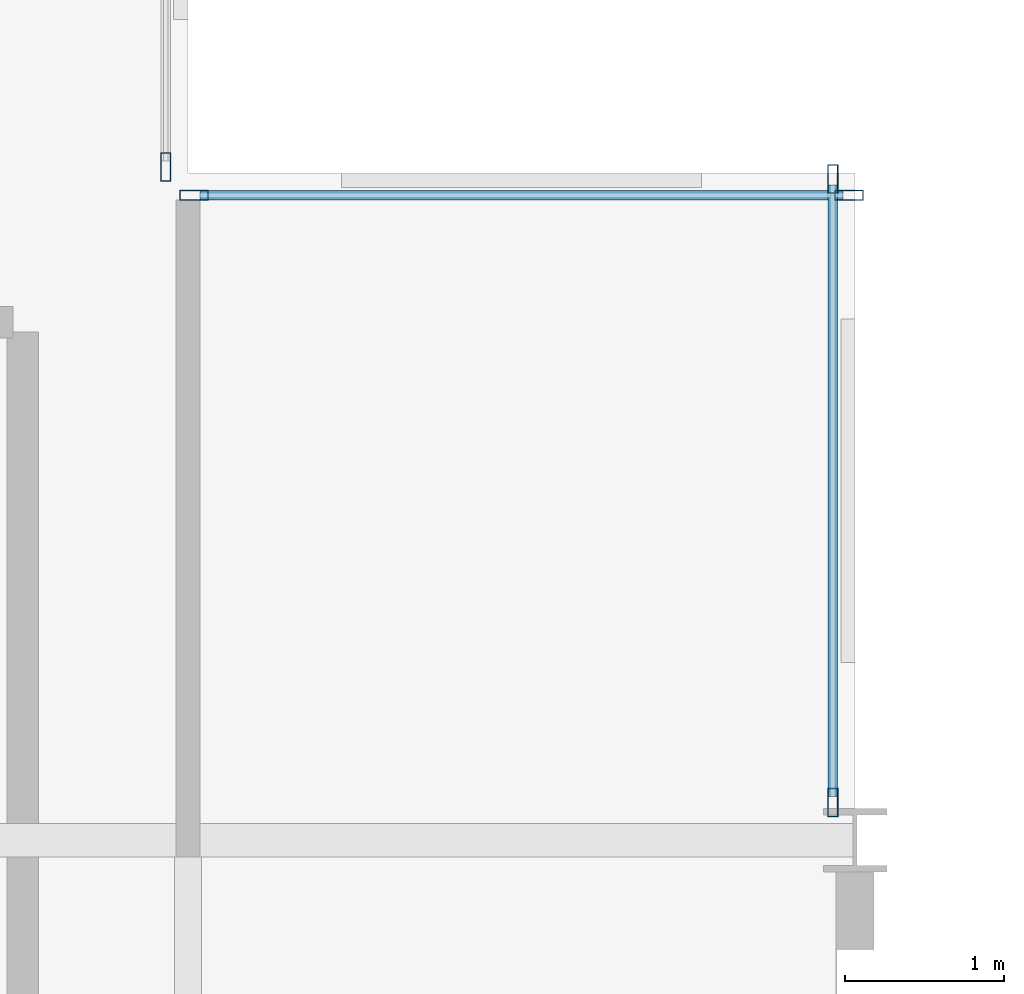
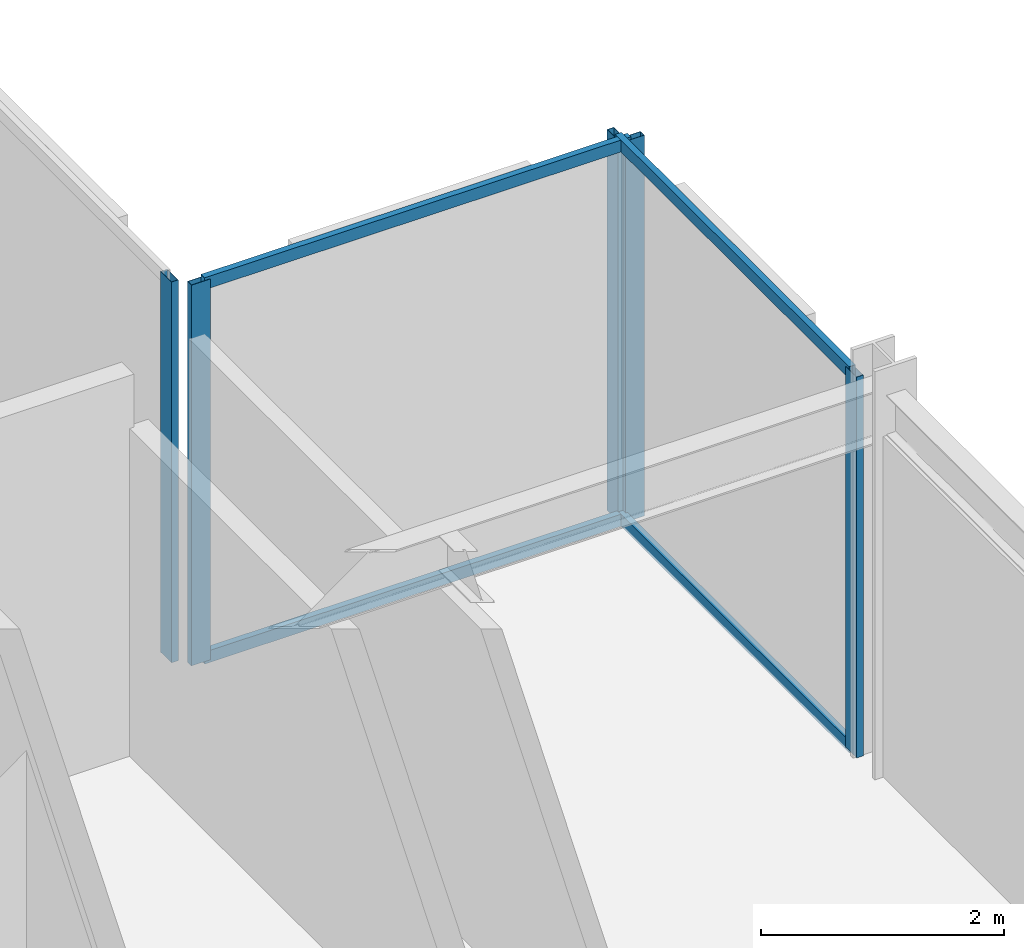
# One storey, part 20 of 29: 9 members, 3 elements without a shape of their own.
"""IFC4 building model written with IfcOpenShell, lengths in metres."""

import ifcopenshell
import ifcopenshell.guid

model = None  # the IFC model being written
_history = None  # IfcOwnerHistory: only IFC2X3 demands one
_inside = {}  # id of a spatial element -> (the spatial element, [elements in it])
_under = {}  # id of a project, library or spatial element -> (it, [spatial elements below it])
_declared = {}  # id of a project -> (the project, [libraries it declares])
_typed = {}  # id of a type object -> (the type object, [elements of that type])
_made_of = {}  # id of a material, layer set ... -> (it, [elements and type objects made of it])


def new_model(schema):
    """Start an empty IFC model of exactly this schema.

    Asked for "IFC4X3", IfcOpenShell would pick the latest addendum, in which some entities
    have other attributes; the version numbers below select the first issue.
    IFC2X3 requires an IfcOwnerHistory on every rooted entity: one is made here for all.
    """
    global model, _history
    if schema == "IFC4X3":
        model = ifcopenshell.file(schema_version=(4, 3, 0, 0))
    else:
        model = ifcopenshell.file(schema=schema)
    _inside.clear()
    _under.clear()
    _declared.clear()
    _typed.clear()
    _made_of.clear()
    _history = None
    if model.schema == "IFC2X3":
        org = make("IfcOrganization", Name="unknown")
        user = make(
            "IfcPersonAndOrganization",
            ThePerson=make("IfcPerson", FamilyName="unknown"),
            TheOrganization=org,
        )
        app = make(
            "IfcApplication",
            ApplicationDeveloper=org,
            Version="unknown",
            ApplicationFullName="unknown",
            ApplicationIdentifier="unknown",
        )
        _history = make(
            "IfcOwnerHistory",
            OwningUser=user,
            OwningApplication=app,
            ChangeAction="ADDED",
            CreationDate=0,
        )
    return model


def make(cls, **values):
    """One entity of the class cls with the attributes given. An attribute that is None is left unset."""
    return model.create_entity(
        cls, **{name: value for name, value in values.items() if value is not None}
    )


def rooted(cls, **values):
    """An entity with a GlobalId (a new one), such as an element, a storey or a relation."""
    return make(cls, GlobalId=ifcopenshell.guid.new(), OwnerHistory=_history, **values)


def si_unit(unit_type, name, prefix=None):
    """IfcSIUnit, for example si_unit("LENGTHUNIT", "METRE", prefix="MILLI")."""
    return make("IfcSIUnit", UnitType=unit_type, Prefix=prefix, Name=name)


def assignment(units):
    """IfcUnitAssignment: the units of a project."""
    return None if units is None else make("IfcUnitAssignment", Units=units)


def point(xyz):
    """IfcCartesianPoint."""
    return None if xyz is None else make("IfcCartesianPoint", Coordinates=xyz)


def direction(xyz):
    """IfcDirection."""
    return None if xyz is None else make("IfcDirection", DirectionRatios=xyz)


def frame(location, z_axis=None, x_axis=None):
    """IfcAxis2Placement3D, a coordinate frame: its origin and axes. An axis left out is left unset."""
    return make(
        "IfcAxis2Placement3D",
        Location=point(location),
        Axis=direction(z_axis),
        RefDirection=direction(x_axis),
    )


def frame_2d(location, x_axis=None):
    """IfcAxis2Placement2D, a coordinate frame in the plane: its origin and x axis."""
    return make(
        "IfcAxis2Placement2D", Location=point(location), RefDirection=direction(x_axis)
    )


def origin():
    """The frame at (0, 0, 0) with its axes left unset."""
    return frame((0.0, 0.0, 0.0))


def origin_2d():
    """The frame at (0, 0) in the plane with its x axis left unset."""
    return frame_2d((0.0, 0.0))


def place(relative_to, where):
    """IfcLocalPlacement: puts the frame where relative to a parent placement (None: the world)."""
    return make(
        "IfcLocalPlacement", PlacementRelTo=relative_to, RelativePlacement=where
    )


def context(
    kind, dimensions, precision=None, world=None, true_north=None, identifier=None
):
    """IfcGeometricRepresentationContext, for example the 3D "Model" context."""
    return make(
        "IfcGeometricRepresentationContext",
        ContextIdentifier=identifier,
        ContextType=kind,
        CoordinateSpaceDimension=dimensions,
        Precision=precision,
        WorldCoordinateSystem=world,
        TrueNorth=true_north,
    )


def subcontext(parent, identifier, kind, view, scale=None):
    """IfcGeometricRepresentationSubContext, for example "Body" below "Model"."""
    return make(
        "IfcGeometricRepresentationSubContext",
        ContextIdentifier=identifier,
        ContextType=kind,
        ParentContext=parent,
        TargetScale=scale,
        TargetView=view,
    )


def project(units=None, contexts=None):
    """IfcProject with its units and contexts."""
    return rooted(
        "IfcProject",
        Name="project",
        RepresentationContexts=contexts,
        UnitsInContext=assignment(units),
    )


def spatial(cls, under=None, at=None, **own):
    """A site, building, storey or space (cls), placed at a placement, below another one or the project."""
    s = rooted(cls, ObjectPlacement=at, **own)
    if under is not None:
        _under.setdefault(under.id(), (under, []))[1].append(s)
    return s


def profile(cls, at=None, kind="AREA", **sizes):
    """A parametric profile (cls). Its sizes go by their IFC names, for example OverallWidth=200.0."""
    return make(cls, ProfileType=kind, Position=at, **sizes)


def hollow_rectangle(**sizes):
    """IfcRectangleHollowProfileDef."""
    return profile("IfcRectangleHollowProfileDef", **sizes)


def extrude(swept, where, along, depth):
    """IfcExtrudedAreaSolid: the profile swept, set in the frame where, extruded along a direction by depth."""
    return make(
        "IfcExtrudedAreaSolid",
        SweptArea=swept,
        Position=where,
        ExtrudedDirection=direction(along),
        Depth=depth,
    )


def shape(context_of_items, identifier, shape_type, items):
    """IfcShapeRepresentation: the items that make up one representation, for example the "Body"."""
    return make(
        "IfcShapeRepresentation",
        ContextOfItems=context_of_items,
        RepresentationIdentifier=identifier,
        RepresentationType=shape_type,
        Items=items,
    )


def material(Name=None, Category=None):
    """IfcMaterial."""
    return make("IfcMaterial", Name=Name, Category=Category)


def layer(
    of_material, thickness, ventilated=None, Name=None, Category=None, Priority=None
):
    """IfcMaterialLayer: one layer of a wall or slab, of a material (None: an air gap)."""
    return make(
        "IfcMaterialLayer",
        Material=of_material,
        LayerThickness=thickness,
        IsVentilated=ventilated,
        Name=Name,
        Category=Category,
        Priority=Priority,
    )


def layer_set(layers, Name=None):
    """IfcMaterialLayerSet."""
    return make("IfcMaterialLayerSet", MaterialLayers=layers, LayerSetName=Name)


def material_profile(
    of_material, cross_section, Name=None, Category=None, Priority=None
):
    """IfcMaterialProfile: a cross section and its material."""
    return make(
        "IfcMaterialProfile",
        Name=Name,
        Material=of_material,
        Profile=cross_section,
        Priority=Priority,
        Category=Category,
    )


def profile_set(profiles, Name=None, composite=None):
    """IfcMaterialProfileSet."""
    return make(
        "IfcMaterialProfileSet",
        Name=Name,
        MaterialProfiles=profiles,
        CompositeProfile=composite,
    )


def made_of(thing, what):
    """Note that an element or type object is made of a material, layer set ...; save() writes the relation."""
    if what is not None:
        _made_of.setdefault(what.id(), (what, []))[1].append(thing)
    return thing


def type_object(cls, material=None, **own):
    """A type object (cls), such as IfcWallType, which elements share."""
    return made_of(rooted(cls, **own), material)


def element(
    cls,
    number,
    at=None,
    inside=None,
    cuts=None,
    type_object=None,
    material=None,
    context=None,
    identifier="Body",
    shape_type=None,
    held_by="IfcProductDefinitionShape",
    body=None,
    shapes=None,
    **own,
):
    """One element of the class cls, such as IfcWall. Its Tag is "e" and its number.

    at: its placement. inside: the storey or other place that contains it. cuts: it is an
    opening in that element (IfcRelVoidsElement). A single representation is given by context,
    identifier, shape_type and body (its items); several are given by shapes. held_by: the class
    of the entity that holds the representations. save() writes the other relations.
    """
    e = rooted(cls, Tag="e%d" % number, ObjectPlacement=at, **own)
    if body is not None:
        shapes = [shape(context, identifier, shape_type, body)]
    if shapes is not None:
        e.Representation = make(held_by, Representations=shapes)
    if inside is not None:
        _inside.setdefault(inside.id(), (inside, []))[1].append(e)
    if cuts is not None:
        rooted(
            "IfcRelVoidsElement", RelatingBuildingElement=cuts, RelatedOpeningElement=e
        )
    if type_object is not None:
        _typed.setdefault(type_object.id(), (type_object, []))[1].append(e)
    return made_of(e, material)


def aggregate(whole, parts):
    """IfcRelAggregates: a whole, such as a stair, and the parts it consists of."""
    return rooted("IfcRelAggregates", RelatingObject=whole, RelatedObjects=parts)


def save(model, path):
    """Write the relations noted so far, then the file.

    IfcRelAggregates (storeys below a building ...), IfcRelContainedInSpatialStructure (elements
    in a storey), IfcRelDefinesByType, IfcRelAssociatesMaterial and IfcRelDeclares: one each for
    every whole, place, type object, material and project.
    """
    for whole, parts in _under.values():
        aggregate(whole, parts)
    for where, things in _inside.values():
        rooted(
            "IfcRelContainedInSpatialStructure",
            RelatedElements=things,
            RelatingStructure=where,
        )
    for kind, things in _typed.values():
        rooted("IfcRelDefinesByType", RelatedObjects=things, RelatingType=kind)
    for what, things in _made_of.values():
        rooted("IfcRelAssociatesMaterial", RelatedObjects=things, RelatingMaterial=what)
    for by, libraries in _declared.values():
        rooted("IfcRelDeclares", RelatingContext=by, RelatedDefinitions=libraries)
    model.write(path)


model = new_model("IFC4")

# Units and contexts
model_context = context("Model", 3, precision=1e-05, world=origin(), true_north=direction((0.0, 1.0)))
body_context = subcontext(model_context, "Body", "Model", "MODEL_VIEW")
ifc_project = project(units=[si_unit("LENGTHUNIT", "METRE"), si_unit("AREAUNIT", "SQUARE_METRE"), si_unit("VOLUMEUNIT", "CUBIC_METRE"), si_unit("PLANEANGLEUNIT", "RADIAN"), si_unit("MASSUNIT", "GRAM", prefix="KILO")], contexts=[model_context])

# Site, building, storey
site_placement = place(None, origin())
site = spatial("IfcSite", under=ifc_project, at=site_placement, CompositionType="ELEMENT")
building_placement = place(site_placement, origin())
building = spatial("IfcBuilding", under=site, at=building_placement, Name="Nerrivon Quay Data Exchange", CompositionType="ELEMENT")
storey_placement = place(building_placement, frame((0.0, 0.0, 125.39990234375)))
storey = spatial("IfcBuildingStorey", under=building, at=storey_placement, Name="L29", CompositionType="ELEMENT", Elevation=125.39990234375)

# Curtain wall, member
ifc_material = material(Name="Anodised aluminium 6063-T6", Category="aluminium")
ifc_layer = layer(ifc_material, 0.2099609375)
ifc_layer_set = layer_set([ifc_layer], Name="Anodised aluminium 6063-T6")
curtain_wall_type = type_object("IfcCurtainWallType", Name="CW-SYS-02", PredefinedType="NOTDEFINED", material=ifc_layer_set)
curtain_wall_1_placement = place(storey_placement, origin())
curtain_wall_1 = element("IfcCurtainWall", 1, at=curtain_wall_1_placement, inside=storey, type_object=curtain_wall_type, Name="L29 Unitised Curtain Wall 21", PredefinedType="NOTDEFINED")
ifc_material_profile_1 = material_profile(ifc_material, hollow_rectangle(XDim=0.06494140625, YDim=0.179931640625, WallThickness=0.00341796875, at=origin_2d()), Name="ALU-MULL-180x65")
ifc_profile_set_1 = profile_set([ifc_material_profile_1], Name="Anodised aluminium 6063-T6")
member_type_1 = type_object("IfcMemberType", Name="CWM-180x65", PredefinedType="MULLION", material=ifc_profile_set_1)
member_1_placement = place(storey_placement, frame((20.860107421875, 46.237548828125, 0.0), z_axis=(0.0, 0.0, 1.0), x_axis=(1.0, 0.0, 0.0)))
member_1 = element("IfcMember", 2, at=member_1_placement, type_object=member_type_1, Name="CW02 mullion 2", PredefinedType="MULLION", context=body_context, shape_type="SweptSolid", body=[
    extrude(hollow_rectangle(XDim=0.06494140625, YDim=0.179931640625, WallThickness=0.00341796875, at=origin_2d()), origin(), (0.0, 0.0, 1.0), 3.8251953125),
])
aggregate(curtain_wall_1, [member_1])

# Curtain wall, members
curtain_wall_2_placement = place(storey_placement, origin())
curtain_wall_2 = element("IfcCurtainWall", 3, at=curtain_wall_2_placement, inside=storey, type_object=curtain_wall_type, Name="L29 Unitised Curtain Wall 22", PredefinedType="NOTDEFINED")
member_2_placement = place(storey_placement, frame((21.03759765625, 46.06005859375, 0.0), z_axis=(0.0, 0.0, 1.0), x_axis=(0.0, 1.0, 0.0)))
member_2 = element("IfcMember", 4, at=member_2_placement, type_object=member_type_1, Name="CW02 mullion 1", PredefinedType="MULLION", context=body_context, shape_type="SweptSolid", body=[
    extrude(hollow_rectangle(XDim=0.06494140625, YDim=0.179931640625, WallThickness=0.00341796875, at=origin_2d()), origin(), (0.0, 0.0, 1.0), 3.8251953125),
])
member_3_placement = place(storey_placement, frame((25.16259765625, 46.06005859375, 0.0), z_axis=(0.0, 0.0, 1.0), x_axis=(0.0, 1.0, 0.0)))
member_3 = element("IfcMember", 5, at=member_3_placement, type_object=member_type_1, Name="CW02 mullion 2", PredefinedType="MULLION", context=body_context, shape_type="SweptSolid", body=[
    extrude(hollow_rectangle(XDim=0.06494140625, YDim=0.179931640625, WallThickness=0.00341796875, at=origin_2d()), origin(), (0.0, 0.0, 1.0), 3.8251953125),
])

curtain_wall_3_placement = place(storey_placement, origin())
curtain_wall_3 = element("IfcCurtainWall", 6, at=curtain_wall_3_placement, inside=storey, type_object=curtain_wall_type, Name="L29 Unitised Curtain Wall 23", PredefinedType="NOTDEFINED")
member_4_placement = place(storey_placement, frame((25.06005859375, 46.16259765625, 0.0), z_axis=(0.0, 0.0, 1.0), x_axis=(1.0, 0.0, 0.0)))
member_4 = element("IfcMember", 7, at=member_4_placement, type_object=member_type_1, Name="CW02 mullion 1", PredefinedType="MULLION", context=body_context, shape_type="SweptSolid", body=[
    extrude(hollow_rectangle(XDim=0.06494140625, YDim=0.179931640625, WallThickness=0.00341796875, at=origin_2d()), origin(), (0.0, 0.0, 1.0), 3.8251953125),
])
member_5_placement = place(storey_placement, frame((25.06005859375, 42.237548828125, 0.0), z_axis=(0.0, 0.0, 1.0), x_axis=(1.0, 0.0, 0.0)))
member_5 = element("IfcMember", 8, at=member_5_placement, type_object=member_type_1, Name="CW02 mullion 2", PredefinedType="MULLION", context=body_context, shape_type="SweptSolid", body=[
    extrude(hollow_rectangle(XDim=0.06494140625, YDim=0.179931640625, WallThickness=0.00341796875, at=origin_2d()), origin(), (0.0, 0.0, 1.0), 3.8251953125),
])

# Member
ifc_material_profile_2 = material_profile(ifc_material, hollow_rectangle(XDim=0.06005859375, YDim=0.1201171875, WallThickness=0.003173828125, at=origin_2d()), Name="ALU-TRAN-120x60")
ifc_profile_set_2 = profile_set([ifc_material_profile_2], Name="Anodised aluminium 6063-T6")
member_type_2 = type_object("IfcMemberType", Name="CWT-120x60", PredefinedType="USERDEFINED", material=ifc_profile_set_2)
member_6_placement = place(storey_placement, frame((21.074951171875, 46.06005859375, 0.03271484375), z_axis=(1.0, 0.0, 0.0), x_axis=(0.0, 1.0, 0.0)))
member_6 = element("IfcMember", 9, at=member_6_placement, type_object=member_type_2, Name="CW02 transom 1.1", ObjectType="TRANSOM", PredefinedType="USERDEFINED", context=body_context, shape_type="SweptSolid", body=[
    extrude(hollow_rectangle(XDim=0.06005859375, YDim=0.1201171875, WallThickness=0.003173828125, at=origin_2d()), origin(), (0.0, 0.0, 1.0), 4.050048828125),
])

member_7_placement = place(storey_placement, frame((21.074951171875, 46.06005859375, 3.79248046875), z_axis=(1.0, 0.0, 0.0), x_axis=(0.0, 1.0, 0.0)))
member_7 = element("IfcMember", 10, at=member_7_placement, type_object=member_type_2, Name="CW02 transom 1.2", ObjectType="TRANSOM", PredefinedType="USERDEFINED", context=body_context, shape_type="SweptSolid", body=[
    extrude(hollow_rectangle(XDim=0.06005859375, YDim=0.1201171875, WallThickness=0.003173828125, at=origin_2d()), origin(), (0.0, 0.0, 1.0), 4.050048828125),
])

aggregate(curtain_wall_2, [member_2, member_3, member_6, member_7])

member_8_placement = place(storey_placement, frame((25.06005859375, 46.125, 0.03271484375), z_axis=(0.0, -1.0, 0.0), x_axis=(1.0, 0.0, 0.0)))
member_8 = element("IfcMember", 11, at=member_8_placement, type_object=member_type_2, Name="CW02 transom 1.1", ObjectType="TRANSOM", PredefinedType="USERDEFINED", context=body_context, shape_type="SweptSolid", body=[
    extrude(hollow_rectangle(XDim=0.06005859375, YDim=0.1201171875, WallThickness=0.003173828125, at=origin_2d()), origin(), (0.0, 0.0, 1.0), 3.85009765625),
])

member_9_placement = place(storey_placement, frame((25.06005859375, 46.125, 3.79248046875), z_axis=(0.0, -1.0, 0.0), x_axis=(1.0, 0.0, 0.0)))
member_9 = element("IfcMember", 12, at=member_9_placement, type_object=member_type_2, Name="CW02 transom 1.2", ObjectType="TRANSOM", PredefinedType="USERDEFINED", context=body_context, shape_type="SweptSolid", body=[
    extrude(hollow_rectangle(XDim=0.06005859375, YDim=0.1201171875, WallThickness=0.003173828125, at=origin_2d()), origin(), (0.0, 0.0, 1.0), 3.85009765625),
])

aggregate(curtain_wall_3, [member_4, member_5, member_8, member_9])

save(model, "model.ifc")
